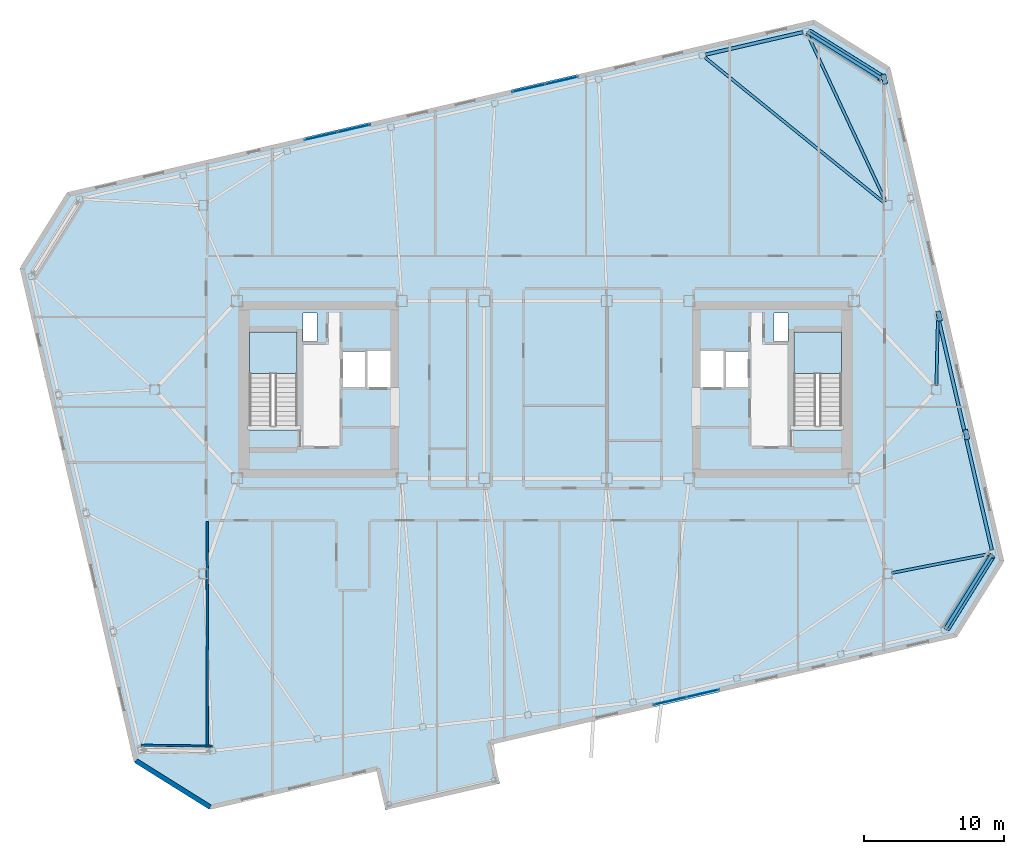
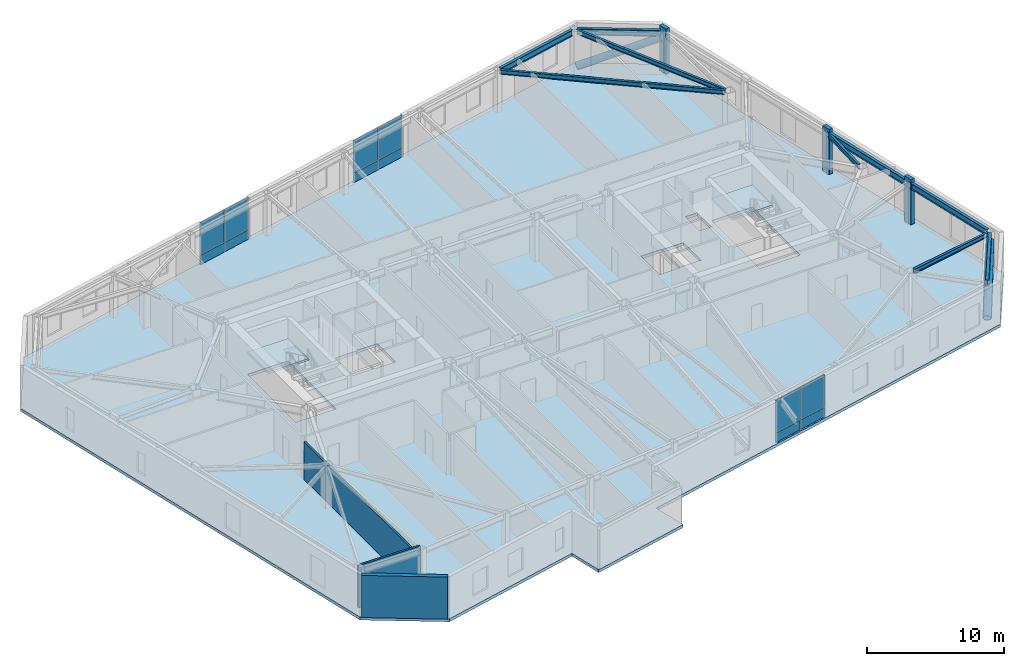
# One storey, part 13 of 21: 12 plates, 9 beams, 5 members, 3 slabs, 3 walls, 5 elements without a shape of their own.
"""IFC4 building model written with IfcOpenShell, lengths in metres."""

from ifc_helpers import new_model, si_unit, direction, frame, frame_2d, origin, origin_2d, place, context, subcontext, project, spatial, polyline, rectangle, hollow_circle, i_section, outline, extrude, material, layer, layer_set, material_profile, profile_set, type_object, element, aggregate, save


model = new_model("IFC4")

# Units and contexts
model_context = context("Model", 3, precision=1e-05, world=origin(), true_north=direction((0.0, 1.0)))
body_context = subcontext(model_context, "Body", "Model", "MODEL_VIEW")
ifc_project = project(units=[si_unit("LENGTHUNIT", "METRE"), si_unit("AREAUNIT", "SQUARE_METRE"), si_unit("VOLUMEUNIT", "CUBIC_METRE"), si_unit("PLANEANGLEUNIT", "RADIAN"), si_unit("MASSUNIT", "GRAM", prefix="KILO")], contexts=[model_context])

# Site, building, storey
site_placement = place(None, origin())
site = spatial("IfcSite", under=ifc_project, at=site_placement, CompositionType="ELEMENT")
building_placement = place(site_placement, origin())
building = spatial("IfcBuilding", under=site, at=building_placement, Name="Tavrogorsk Clinical Tower", CompositionType="ELEMENT")
storey_placement = place(building_placement, frame((0.0, 0.0, 285.0)))
storey = spatial("IfcBuildingStorey", under=building, at=storey_placement, Name="L66", CompositionType="ELEMENT", Elevation=285.0)

# Members
ifc_material_1 = material(Name="Structural steel S440", Category="steel")
ifc_material_profile_1 = material_profile(ifc_material_1, hollow_circle(Radius=0.304931640625, WallThickness=0.02490234375, at=origin_2d()), Name="CHS-610x25")
ifc_profile_set_1 = profile_set([ifc_material_profile_1], Name="Structural steel S440")
member_type_1 = type_object("IfcMemberType", Name="ExoBrace_CHS610", PredefinedType="BRACE", material=ifc_profile_set_1)
for number, where, z_axis, x_axis, name in (
    (1, (28.70166015625, -17.063720703125, 0.393310546875), (0.485685891885, 0.777193135924, 0.40010004236), (-0.848027637525, 0.529952003481, 0.0), "L66 Corner Exoskeleton Brace S8-E1"),
    (2, (18.86279296875, 25.55322265625, 0.393310546875), (0.777221605895, -0.485643868835, 0.400095748531), (0.529905066536, 0.848056967697, 0.0), "L66 Corner Exoskeleton Brace E5-N1"),
):
    element("IfcMember", number, at=place(storey_placement, frame(where, z_axis=z_axis, x_axis=x_axis)), inside=storey, type_object=member_type_1, Name=name, PredefinedType="BRACE", context=body_context, shape_type="SweptSolid", body=[
        extrude(hollow_circle(Radius=0.304931640625, WallThickness=0.02490234375, at=origin_2d()), origin(), (0.0, 0.0, 1.0), 6.63232421875),
    ])

# Beams
ifc_material_2 = material(Name="Structural steel S355", Category="steel")
ifc_material_profile_2 = material_profile(ifc_material_2, i_section(OverallWidth=0.199951171875, OverallDepth=0.39990234375, WebThickness=0.010498046875, FlangeThickness=0.01611328125, at=origin_2d()), Name="B-400x200x10.5x16")
ifc_profile_set_2 = profile_set([ifc_material_profile_2], Name="Structural steel S355")
beam_type_1 = type_object("IfcBeamType", Name="FloorBeam_B400", PredefinedType="BEAM", material=ifc_profile_set_2)
beam_1_placement = place(storey_placement, frame((24.368896484375, 13.48095703125, 3.5400390625), z_axis=(-0.422928957087, 0.906162842571, 0.0), x_axis=(-0.906162842571, -0.422928957087, 0.0)))
element("IfcBeam", 3, at=beam_1_placement, inside=storey, type_object=beam_type_1, Name="L66 Radial Floor Beam N1", PredefinedType="BEAM", context=body_context, shape_type="SweptSolid", body=[
    extrude(i_section(OverallWidth=0.199951171875, OverallDepth=0.39990234375, WebThickness=0.010498046875, FlangeThickness=0.01611328125, at=origin_2d()), origin(), (0.0, 0.0, 1.0), 13.214111328125),
])
beam_2_placement = place(storey_placement, frame((24.25927734375, 13.395263671875, 3.5400390625), z_axis=(-0.77675399059, 0.629804126774, 0.0), x_axis=(-0.629804126774, -0.77675399059, 0.0)))
element("IfcBeam", 4, at=beam_2_placement, inside=storey, type_object=beam_type_1, Name="L66 Radial Floor Beam N2", PredefinedType="BEAM", context=body_context, shape_type="SweptSolid", body=[
    extrude(i_section(OverallWidth=0.199951171875, OverallDepth=0.39990234375, WebThickness=0.010498046875, FlangeThickness=0.01611328125, at=origin_2d()), origin(), (0.0, 0.0, 1.0), 16.524169921875),
])
beam_3_placement = place(storey_placement, frame((24.80419921875, -13.140625, 3.5400390625), z_axis=(0.981451198395, 0.191712141424, 0.0), x_axis=(-0.191712141424, 0.981451198395, 0.0)))
element("IfcBeam", 5, at=beam_3_placement, inside=storey, type_object=beam_type_1, Name="L66 Radial Floor Beam E1", PredefinedType="BEAM", context=body_context, shape_type="SweptSolid", body=[
    extrude(i_section(OverallWidth=0.199951171875, OverallDepth=0.39990234375, WebThickness=0.010498046875, FlangeThickness=0.01611328125, at=origin_2d()), origin(), (0.0, 0.0, 1.0), 7.13525390625),
])
beam_4_placement = place(storey_placement, frame((28.0068359375, 0.309814453125, 3.5400390625), z_axis=(0.022370062613, 0.999749758839, 0.0), x_axis=(-0.999749758839, 0.022370062613, 0.0)))
element("IfcBeam", 6, at=beam_4_placement, inside=storey, type_object=beam_type_1, Name="L66 Radial Floor Beam E3", PredefinedType="BEAM", context=body_context, shape_type="SweptSolid", body=[
    extrude(i_section(OverallWidth=0.199951171875, OverallDepth=0.39990234375, WebThickness=0.010498046875, FlangeThickness=0.01611328125, at=origin_2d()), origin(), (0.0, 0.0, 1.0), 4.703857421875),
])

# Members
ifc_material_3 = material(Name="Precast concrete B45 with limestone cladding", Category="masonry")
ifc_material_profile_3 = material_profile(ifc_material_3, rectangle(XDim=0.320068359375, YDim=0.719970703125, at=origin_2d()), Name="LIMESTONE-FIN-320x720")
ifc_profile_set_3 = profile_set([ifc_material_profile_3], Name="Precast concrete B45 with limestone cladding")
member_type_2 = type_object("IfcMemberType", Name="LimestonePleatFin_320x720", PredefinedType="USERDEFINED", material=ifc_profile_set_3)
for number, where, z_axis, x_axis, name in (
    (7, (30.154541015625, -3.223388671875, 0.0), (0.0, 0.0, 1.0), (0.974370064785, 0.224951054344, 0.0), "L66 E Pleated Stone Fin 1"),
    (8, (28.1953125, 5.263427734375, 0.0), (0.0, 0.0, 1.0), (0.974370064785, 0.224951054344, 0.0), "L66 E Pleated Stone Fin 2"),
    (9, (24.276611328125, 22.237060546875, 0.0), (0.0, 0.0, 1.0), (0.974370064785, 0.224951054344, 0.0), "L66 E Pleated Stone Fin 4"),
):
    element("IfcMember", number, at=place(storey_placement, frame(where, z_axis=z_axis, x_axis=x_axis)), inside=storey, type_object=member_type_2, Name=name, ObjectType="FIN", PredefinedType="USERDEFINED", context=body_context, shape_type="SweptSolid", body=[
        extrude(rectangle(XDim=0.320068359375, YDim=0.719970703125, at=origin_2d()), origin(), (0.0, 0.0, 1.0), 4.0),
    ])

# Beams
ifc_material_4 = material(Name="Structural steel S390", Category="steel")
ifc_material_profile_4 = material_profile(ifc_material_4, i_section(OverallWidth=0.239990234375, OverallDepth=0.550048828125, WebThickness=0.013916015625, FlangeThickness=0.02197265625, at=origin_2d()), Name="B-550x240x14x22")
ifc_profile_set_4 = profile_set([ifc_material_profile_4], Name="Structural steel S390")
beam_type_2 = type_object("IfcBeamType", Name="SpandrelBeam_B550", PredefinedType="SPANDREL", material=ifc_profile_set_4)
beam_5_placement = place(storey_placement, frame((28.712158203125, -17.04736328125, 3.465087890625), z_axis=(0.529904457892, 0.848057348006, 0.0), x_axis=(-0.848057348006, 0.529904457892, 0.0)))
element("IfcBeam", 10, at=beam_5_placement, inside=storey, type_object=beam_type_2, Name="L66 Perimeter Spandrel S8-E1", PredefinedType="SPANDREL", context=body_context, shape_type="SweptSolid", body=[
    extrude(i_section(OverallWidth=0.239990234375, OverallDepth=0.550048828125, WebThickness=0.013916015625, FlangeThickness=0.02197265625, at=origin_2d()), origin(), (0.0, 0.0, 1.0), 6.039306640625),
])
for number, where, z_axis, x_axis, name in (
    (11, (31.9833984375, -11.5009765625, 3.465087890625), (-0.224950345141, 0.974370228517, 0.0), (-0.974370228517, -0.224950345141, 0.0), "L66 Perimeter Spandrel E1-E2"),
    (12, (30.024169921875, -3.01416015625, 3.465087890625), (-0.224950345141, 0.974370228517, 0.0), (-0.974370228517, -0.224950345141, 0.0), "L66 Perimeter Spandrel E2-E3"),
):
    element("IfcBeam", number, at=place(storey_placement, frame(where, z_axis=z_axis, x_axis=x_axis)), inside=storey, type_object=beam_type_2, Name=name, PredefinedType="SPANDREL", context=body_context, shape_type="SweptSolid", body=[
        extrude(i_section(OverallWidth=0.239990234375, OverallDepth=0.550048828125, WebThickness=0.013916015625, FlangeThickness=0.02197265625, at=origin_2d()), origin(), (0.0, 0.0, 1.0), 8.243896484375),
    ])
beam_6_placement = place(storey_placement, frame((24.0009765625, 22.342529296875, 3.465087890625), z_axis=(-0.848057348006, 0.529904457892, 0.0), x_axis=(-0.529904457892, -0.848057348006, 0.0)))
element("IfcBeam", 13, at=beam_6_placement, inside=storey, type_object=beam_type_2, Name="L66 Perimeter Spandrel E5-N1", PredefinedType="SPANDREL", context=body_context, shape_type="SweptSolid", body=[
    extrude(i_section(OverallWidth=0.239990234375, OverallDepth=0.550048828125, WebThickness=0.013916015625, FlangeThickness=0.02197265625, at=origin_2d()), origin(), (0.0, 0.0, 1.0), 6.039306640625),
])
beam_7_placement = place(storey_placement, frame((18.45458984375, 25.61376953125, 3.465087890625), z_axis=(-0.974375120167, -0.224929155956, 0.0), x_axis=(0.224929155956, -0.974375120167, 0.0)))
element("IfcBeam", 14, at=beam_7_placement, inside=storey, type_object=beam_type_2, Name="L66 Perimeter Spandrel N1-N2", PredefinedType="SPANDREL", context=body_context, shape_type="SweptSolid", body=[
    extrude(i_section(OverallWidth=0.239990234375, OverallDepth=0.550048828125, WebThickness=0.013916015625, FlangeThickness=0.02197265625, at=origin_2d()), origin(), (0.0, 0.0, 1.0), 7.16796875),
])

# Curtain wall, plates
ifc_material_5 = material(Name="Anodised aluminium and triple IGU glazing", Category="aluminium")
ifc_layer_1 = layer(ifc_material_5, 0.179931640625)
ifc_layer_set_1 = layer_set([ifc_layer_1], Name="Anodised aluminium and triple IGU glazing")
curtain_wall_type_1 = type_object("IfcCurtainWallType", Name="CW3_SouthSlot", PredefinedType="NOTDEFINED", material=ifc_layer_set_1)
curtain_wall_1_placement = place(storey_placement, origin())
curtain_wall_1 = element("IfcCurtainWall", 15, at=curtain_wall_1_placement, inside=storey, type_object=curtain_wall_type_1, Name="L66 Curtain Wall CW-L66-S-SLOT-2", PredefinedType="NOTDEFINED")
ifc_material_6 = material(Name="Honed Podolsk limestone spandrel panel", Category="masonry")
ifc_layer_2 = layer(ifc_material_6, 0.080078125)
ifc_layer_set_2 = layer_set([ifc_layer_2], Name="Honed Podolsk limestone spandrel panel")
plate_type_1 = type_object("IfcPlateType", Name="CwSpandrelStonePanel_80", PredefinedType="CURTAIN_PANEL", material=ifc_layer_set_2)
plate_1_placement = place(storey_placement, frame((8.9296875, -22.306884765625, 0.001953125), z_axis=(0.0, 0.0, 1.0), x_axis=(0.974370057377, 0.224951086434, 0.0)))
plate_1 = element("IfcPlate", 16, at=plate_1_placement, type_object=plate_type_1, Name="CW-L66-S-SLOT-2 Stone Spandrel Panel 1", PredefinedType="CURTAIN_PANEL", context=body_context, shape_type="SweptSolid", body=[
    extrude(rectangle(XDim=2.39208984375, YDim=0.080078125, at=origin_2d()), origin(), (0.0, 0.0, 1.0), 0.8359375),
])
plate_2_placement = place(storey_placement, frame((11.28369140625, -21.763427734375, 0.001953125), z_axis=(0.0, 0.0, 1.0), x_axis=(0.974370057377, 0.224951086434, 0.0)))
plate_2 = element("IfcPlate", 17, at=plate_2_placement, type_object=plate_type_1, Name="CW-L66-S-SLOT-2 Stone Spandrel Panel 2", PredefinedType="CURTAIN_PANEL", context=body_context, shape_type="SweptSolid", body=[
    extrude(rectangle(XDim=2.39208984375, YDim=0.080078125, at=origin_2d()), origin(), (0.0, 0.0, 1.0), 0.8359375),
])

ifc_material_7 = material(Name="Anodised aluminium and triple IGU glazing", Category="aluminium")
ifc_layer_3 = layer(ifc_material_7, 0.179931640625)
ifc_layer_set_3 = layer_set([ifc_layer_3], Name="Anodised aluminium and triple IGU glazing")
curtain_wall_type_2 = type_object("IfcCurtainWallType", Name="CW2_NorthSlot", PredefinedType="NOTDEFINED", material=ifc_layer_set_3)
curtain_wall_2_placement = place(storey_placement, origin())
curtain_wall_2 = element("IfcCurtainWall", 18, at=curtain_wall_2_placement, inside=storey, type_object=curtain_wall_type_2, Name="L66 Curtain Wall CW-L66-N-SLOT-1", PredefinedType="NOTDEFINED")
plate_3_placement = place(storey_placement, frame((-13.729736328125, 18.70703125, 0.001953125), z_axis=(0.0, 0.0, 1.0), x_axis=(-0.974370057377, -0.224951086434, 0.0)))
plate_3 = element("IfcPlate", 19, at=plate_3_placement, type_object=plate_type_1, Name="CW-L66-N-SLOT-1 Stone Spandrel Panel 1", PredefinedType="CURTAIN_PANEL", context=body_context, shape_type="SweptSolid", body=[
    extrude(rectangle(XDim=2.39208984375, YDim=0.080078125, at=origin_2d()), origin(), (0.0, 0.0, 1.0), 0.8359375),
])
plate_4_placement = place(storey_placement, frame((-16.083740234375, 18.16357421875, 0.001953125), z_axis=(0.0, 0.0, 1.0), x_axis=(-0.974370057377, -0.224951086434, 0.0)))
plate_4 = element("IfcPlate", 20, at=plate_4_placement, type_object=plate_type_1, Name="CW-L66-N-SLOT-1 Stone Spandrel Panel 2", PredefinedType="CURTAIN_PANEL", context=body_context, shape_type="SweptSolid", body=[
    extrude(rectangle(XDim=2.39208984375, YDim=0.080078125, at=origin_2d()), origin(), (0.0, 0.0, 1.0), 0.8359375),
])

curtain_wall_3_placement = place(storey_placement, origin())
curtain_wall_3 = element("IfcCurtainWall", 21, at=curtain_wall_3_placement, inside=storey, type_object=curtain_wall_type_2, Name="L66 Curtain Wall CW-L66-N-SLOT-2", PredefinedType="NOTDEFINED")
plate_5_placement = place(storey_placement, frame((1.1474609375, 22.1416015625, 0.001953125), z_axis=(0.0, 0.0, 1.0), x_axis=(-0.974370092441, -0.224950934554, 0.0)))
plate_5 = element("IfcPlate", 22, at=plate_5_placement, type_object=plate_type_1, Name="CW-L66-N-SLOT-2 Stone Spandrel Panel 1", PredefinedType="CURTAIN_PANEL", context=body_context, shape_type="SweptSolid", body=[
    extrude(rectangle(XDim=2.39208984375, YDim=0.080078125, at=origin_2d()), origin(), (0.0, 0.0, 1.0), 0.8359375),
])
plate_6_placement = place(storey_placement, frame((-1.20654296875, 21.59814453125, 0.001953125), z_axis=(0.0, 0.0, 1.0), x_axis=(-0.974370092441, -0.224950934554, 0.0)))
plate_6 = element("IfcPlate", 23, at=plate_6_placement, type_object=plate_type_1, Name="CW-L66-N-SLOT-2 Stone Spandrel Panel 2", PredefinedType="CURTAIN_PANEL", context=body_context, shape_type="SweptSolid", body=[
    extrude(rectangle(XDim=2.39208984375, YDim=0.080078125, at=origin_2d()), origin(), (0.0, 0.0, 1.0), 0.8359375),
])

# Plate
ifc_material_8 = material(Name="Triple low-E argon insulated glass", Category="glass")
ifc_layer_4 = layer(ifc_material_8, 0.048095703125)
ifc_layer_set_4 = layer_set([ifc_layer_4], Name="Triple low-E argon insulated glass")
plate_type_2 = type_object("IfcPlateType", Name="CwVisionGlassPanel_48", PredefinedType="CURTAIN_PANEL", material=ifc_layer_set_4)
plate_7_placement = place(storey_placement, frame((8.9296875, -22.306884765625, 0.862060546875), z_axis=(0.0, 0.0, 1.0), x_axis=(0.974370057377, 0.224951086434, 0.0)))
plate_7 = element("IfcPlate", 24, at=plate_7_placement, type_object=plate_type_2, Name="CW-L66-S-SLOT-2 Glazing Panel 1", PredefinedType="CURTAIN_PANEL", context=body_context, shape_type="SweptSolid", body=[
    extrude(rectangle(XDim=2.39208984375, YDim=0.048095703125, at=origin_2d()), origin(), (0.0, 0.0, 1.0), 2.8759765625),
])

plate_8_placement = place(storey_placement, frame((11.28369140625, -21.763427734375, 0.862060546875), z_axis=(0.0, 0.0, 1.0), x_axis=(0.974370057377, 0.224951086434, 0.0)))
plate_8 = element("IfcPlate", 25, at=plate_8_placement, type_object=plate_type_2, Name="CW-L66-S-SLOT-2 Glazing Panel 2", PredefinedType="CURTAIN_PANEL", context=body_context, shape_type="SweptSolid", body=[
    extrude(rectangle(XDim=2.39208984375, YDim=0.048095703125, at=origin_2d()), origin(), (0.0, 0.0, 1.0), 2.8759765625),
])

aggregate(curtain_wall_1, [plate_1, plate_7, plate_2, plate_8])

plate_9_placement = place(storey_placement, frame((-13.729736328125, 18.70703125, 0.862060546875), z_axis=(0.0, 0.0, 1.0), x_axis=(-0.974370057377, -0.224951086434, 0.0)))
plate_9 = element("IfcPlate", 26, at=plate_9_placement, type_object=plate_type_2, Name="CW-L66-N-SLOT-1 Glazing Panel 1", PredefinedType="CURTAIN_PANEL", context=body_context, shape_type="SweptSolid", body=[
    extrude(rectangle(XDim=2.39208984375, YDim=0.048095703125, at=origin_2d()), origin(), (0.0, 0.0, 1.0), 2.8759765625),
])

plate_10_placement = place(storey_placement, frame((-16.083740234375, 18.16357421875, 0.862060546875), z_axis=(0.0, 0.0, 1.0), x_axis=(-0.974370057377, -0.224951086434, 0.0)))
plate_10 = element("IfcPlate", 27, at=plate_10_placement, type_object=plate_type_2, Name="CW-L66-N-SLOT-1 Glazing Panel 2", PredefinedType="CURTAIN_PANEL", context=body_context, shape_type="SweptSolid", body=[
    extrude(rectangle(XDim=2.39208984375, YDim=0.048095703125, at=origin_2d()), origin(), (0.0, 0.0, 1.0), 2.8759765625),
])

aggregate(curtain_wall_2, [plate_3, plate_9, plate_4, plate_10])

plate_11_placement = place(storey_placement, frame((1.1474609375, 22.1416015625, 0.862060546875), z_axis=(0.0, 0.0, 1.0), x_axis=(-0.974370092441, -0.224950934554, 0.0)))
plate_11 = element("IfcPlate", 28, at=plate_11_placement, type_object=plate_type_2, Name="CW-L66-N-SLOT-2 Glazing Panel 1", PredefinedType="CURTAIN_PANEL", context=body_context, shape_type="SweptSolid", body=[
    extrude(rectangle(XDim=2.39208984375, YDim=0.048095703125, at=origin_2d()), origin(), (0.0, 0.0, 1.0), 2.8759765625),
])

plate_12_placement = place(storey_placement, frame((-1.20654296875, 21.59814453125, 0.862060546875), z_axis=(0.0, 0.0, 1.0), x_axis=(-0.974370092441, -0.224950934554, 0.0)))
plate_12 = element("IfcPlate", 29, at=plate_12_placement, type_object=plate_type_2, Name="CW-L66-N-SLOT-2 Glazing Panel 2", PredefinedType="CURTAIN_PANEL", context=body_context, shape_type="SweptSolid", body=[
    extrude(rectangle(XDim=2.39208984375, YDim=0.048095703125, at=origin_2d()), origin(), (0.0, 0.0, 1.0), 2.8759765625),
])

aggregate(curtain_wall_3, [plate_5, plate_11, plate_6, plate_12])

# Stair, slab
ifc_material_9 = material(Name="Concrete B60", Category="concrete")
stair_type = type_object("IfcStairType", Name="CoreStairAssembly", PredefinedType="HALF_TURN_STAIR", material=ifc_material_9)
stair_1_placement = place(storey_placement, origin())
stair_1 = element("IfcStair", 30, at=stair_1_placement, inside=storey, type_object=stair_type, Name="L66 ST-W", PredefinedType="HALF_TURN_STAIR")
ifc_material_10 = material(Name="Concrete B60", Category="concrete")
ifc_layer_5 = layer(ifc_material_10, 0.199951171875)
ifc_layer_set_5 = layer_set([ifc_layer_5], Name="Concrete B60")
slab_type_1 = type_object("IfcSlabType", Name="StairLanding_200", PredefinedType="LANDING", material=ifc_layer_set_5)
slab_1_placement = place(storey_placement, frame((0.0, 0.0, 1.800048828125)))
slab_1 = element("IfcSlab", 31, at=slab_1_placement, type_object=slab_type_1, Name="ST-W landing 1", PredefinedType="LANDING", context=body_context, shape_type="SweptSolid", body=[
    extrude(outline(polyline([(-17.800048828125, 1.1650390625), (-17.800048828125, 4.125), (-21.199951171875, 4.125), (-21.199951171875, 1.1650390625), (-17.800048828125, 1.1650390625)])), origin(), (0.0, 0.0, 1.0), 0.199951171875),
])
aggregate(stair_1, [slab_1])

stair_2_placement = place(storey_placement, origin())
stair_2 = element("IfcStair", 32, at=stair_2_placement, inside=storey, type_object=stair_type, Name="L66 ST-E", PredefinedType="HALF_TURN_STAIR")
slab_2_placement = place(storey_placement, frame((0.0, 0.0, 1.800048828125)))
slab_2 = element("IfcSlab", 33, at=slab_2_placement, type_object=slab_type_1, Name="ST-E landing 1", PredefinedType="LANDING", context=body_context, shape_type="SweptSolid", body=[
    extrude(outline(polyline([(21.199951171875, 1.1650390625), (21.199951171875, 4.125), (17.800048828125, 4.125), (17.800048828125, 1.1650390625), (21.199951171875, 1.1650390625)])), origin(), (0.0, 0.0, 1.0), 0.199951171875),
])
aggregate(stair_2, [slab_2])

# Slab
ifc_material_11 = material(Name="Concrete B60", Category="concrete")
ifc_layer_6 = layer(ifc_material_11, 0.260009765625)
ifc_layer_set_6 = layer_set([ifc_layer_6], Name="Concrete B60")
slab_type_2 = type_object("IfcSlabType", Name="WardSlab_260", PredefinedType="FLOOR", material=ifc_layer_set_6)
slab_3_placement = place(storey_placement, frame((0.0, 0.0, -0.260009765625)))
element("IfcSlab", 34, at=slab_3_placement, inside=storey, type_object=slab_type_2, Name="L66 Structural Slab", PredefinedType="FLOOR", context=body_context, shape_type="SweptSolid", body=[
    extrude(outline(polyline([(-23.991455078125, -30.081787109375), (-29.50830078125, -26.634521484375), (-37.651611328125, 8.6376953125), (-34.2041015625, 14.154541015625), (19.19140625, 26.48193359375), (24.708251953125, 23.034423828125), (32.8515625, -12.23779296875), (29.404052734375, -17.75439453125), (-3.919189453125, -25.447998046875), (-3.2783203125, -28.224853515625), (-11.462890625, -30.114501953125), (-12.10400390625, -27.33740234375), (-23.991455078125, -30.081787109375)]), holes=[polyline([(-17.800048828125, -2.8798828125), (-17.800048828125, 4.125), (-21.199951171875, 4.125), (-21.199951171875, -2.8798828125), (-17.800048828125, -2.8798828125)]), polyline([(21.199951171875, -2.8798828125), (21.199951171875, 4.125), (17.800048828125, 4.125), (17.800048828125, -2.8798828125), (21.199951171875, -2.8798828125)]), polyline([(-14.6201171875, 0.169921875), (-12.860107421875, 0.169921875), (-12.860107421875, 2.72998046875), (-14.6201171875, 2.72998046875), (-14.6201171875, 0.169921875)]), polyline([(-12.840087890625, 0.1201171875), (-11.080078125, 0.1201171875), (-11.080078125, 2.780029296875), (-12.840087890625, 2.780029296875), (-12.840087890625, 0.1201171875)]), polyline([(12.860107421875, 0.169921875), (14.6201171875, 0.169921875), (14.6201171875, 2.72998046875), (12.860107421875, 2.72998046875), (12.860107421875, 0.169921875)]), polyline([(11.080078125, 0.1201171875), (12.840087890625, 0.1201171875), (12.840087890625, 2.780029296875), (11.080078125, 2.780029296875), (11.080078125, 0.1201171875)]), polyline([(-17.3798828125, 3.449951171875), (-16.3798828125, 3.449951171875), (-16.3798828125, 5.5), (-17.3798828125, 5.5), (-17.3798828125, 3.449951171875)]), polyline([(16.3798828125, 3.449951171875), (17.3798828125, 3.449951171875), (17.3798828125, 5.5), (16.3798828125, 5.5), (16.3798828125, 3.449951171875)])]), origin(), (0.0, 0.0, 1.0), 0.260009765625),
])

# Walls
ifc_material_12 = material(Name="Lightweight concrete blockwork B15", Category="masonry")
ifc_layer_7 = layer(ifc_material_12, 0.159912109375)
ifc_layer_set_7 = layer_set([ifc_layer_7], Name="Lightweight concrete blockwork B15")
wall_type_1 = type_object("IfcWallType", Name="PartitionWall_160", PredefinedType="PARTITIONING", material=ifc_layer_set_7)
wall_1_placement = place(storey_placement, frame((-28.994140625, -25.47900390625, 0.0), z_axis=(0.0, 0.0, 1.0), x_axis=(0.999915052546, -0.01303409726, 0.0)))
element("IfcWall", 35, at=wall_1_placement, inside=storey, type_object=wall_type_1, Name="L66 Corner Exoskeleton Brace Furring Wall 4", PredefinedType="PARTITIONING", context=body_context, shape_type="SweptSolid", body=[
    extrude(rectangle(XDim=5.13232421875, YDim=0.159912109375, at=frame_2d((2.566162109375, 0.0))), origin(), (0.0, 0.0, 1.0), 3.739990234375),
])
wall_2_placement = place(storey_placement, frame((-24.22998046875, -25.535888671875, 0.0), z_axis=(0.0, 0.0, 1.0), x_axis=(0.0, 1.0, 0.0)))
element("IfcWall", 36, at=wall_2_placement, inside=storey, type_object=wall_type_1, Name="L66 SW Wing Closure Partition", PredefinedType="PARTITIONING", context=body_context, shape_type="SweptSolid", body=[
    extrude(rectangle(XDim=16.07080078125, YDim=0.159912109375, at=frame_2d((8.035400390625, 0.0))), origin(), (0.0, 0.0, 1.0), 3.3349609375),
])
ifc_material_13 = material(Name="Precast concrete B45 with limestone cladding", Category="masonry")
ifc_layer_8 = layer(ifc_material_13, 0.340087890625)
ifc_layer_set_8 = layer_set([ifc_layer_8], Name="Precast concrete B45 with limestone cladding")
wall_type_2 = type_object("IfcWallType", Name="PrecastLimestoneWall_340", PredefinedType="STANDARD", material=ifc_layer_set_8)
wall_3_placement = place(storey_placement, frame((-29.342529296875, -26.59619140625, 0.0), z_axis=(0.0, 0.0, 1.0), x_axis=(0.848037708252, -0.529935887993, 0.0)))
element("IfcWall", 37, at=wall_3_placement, inside=storey, type_object=wall_type_2, Name="L66 Chamfered Corner Wall 4", PredefinedType="STANDARD", context=body_context, shape_type="SweptSolid", body=[
    extrude(rectangle(XDim=6.26513671875, YDim=0.340087890625, at=frame_2d((3.132568359375, 0.0))), origin(), (0.0, 0.0, 1.0), 3.739990234375),
])

save(model, "model.ifc")
